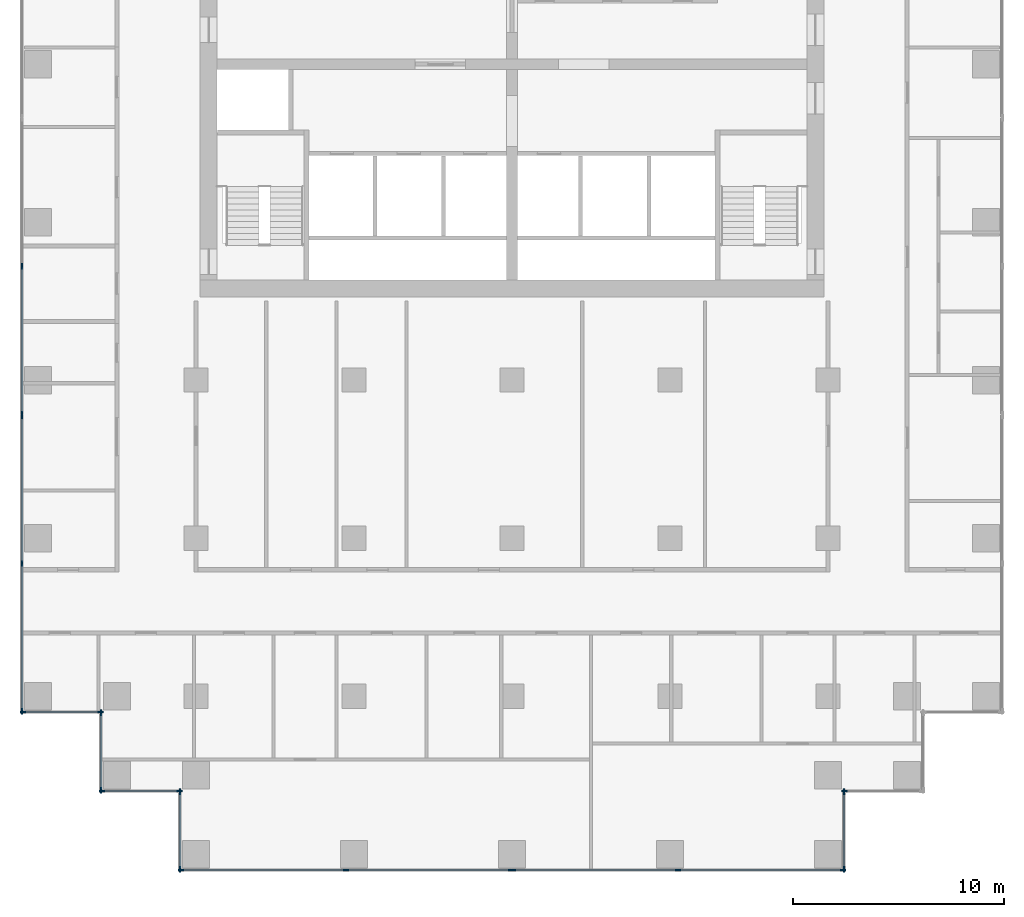
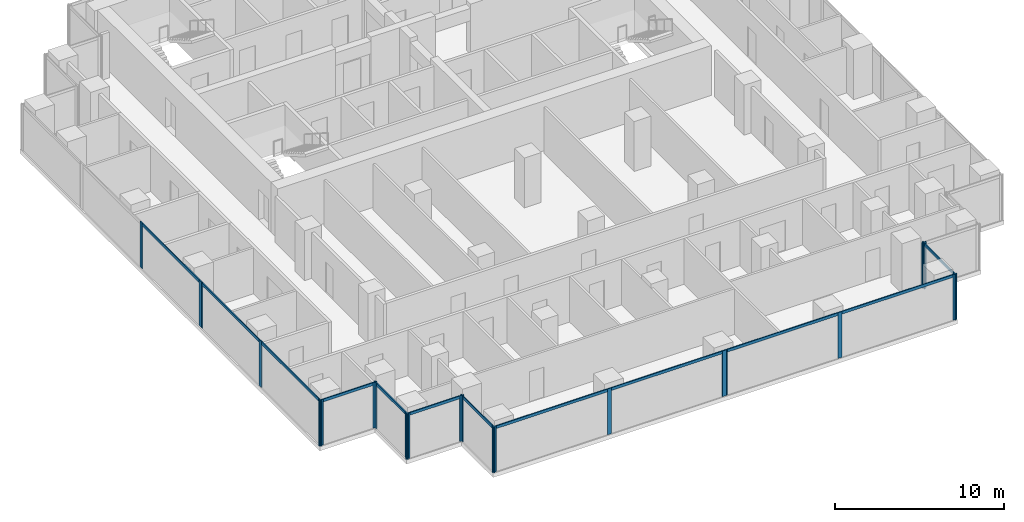
# One storey, part 2 of 11: 34 members, 10 elements without a shape of their own.
"""IFC4 building model written with IfcOpenShell, lengths in metres."""

from ifc_helpers import new_model, si_unit, direction, frame, origin, origin_2d, place, context, subcontext, project, spatial, rectangle, extrude, material, material_profile, profile_set, type_object, element, aggregate, save


model = new_model("IFC4")

# Units and contexts
model_context = context("Model", 3, precision=1e-05, world=origin(), true_north=direction((0.0, 1.0)))
body_context = subcontext(model_context, "Body", "Model", "MODEL_VIEW")
ifc_project = project(units=[si_unit("LENGTHUNIT", "METRE"), si_unit("AREAUNIT", "SQUARE_METRE"), si_unit("VOLUMEUNIT", "CUBIC_METRE"), si_unit("PLANEANGLEUNIT", "RADIAN"), si_unit("MASSUNIT", "GRAM", prefix="KILO")], contexts=[model_context])

# Site, building, storey
site_placement = place(None, origin())
site = spatial("IfcSite", under=ifc_project, at=site_placement, CompositionType="ELEMENT")
building_placement = place(site_placement, origin())
building = spatial("IfcBuilding", under=site, at=building_placement, Name="Pilkhan Gate Tower", CompositionType="ELEMENT")
storey_placement = place(building_placement, frame((0.0, 0.0, 125.199951171875)))
storey = spatial("IfcBuildingStorey", under=building, at=storey_placement, Name="L31", CompositionType="ELEMENT", Elevation=125.199951171875)

# Curtain wall, members
ifc_material_1 = material(Name="Pale anodised aluminium, clear low-iron double glazing", Category="aluminium")
curtain_wall_type = type_object("IfcCurtainWallType", Name="Office unitised curtain wall CW-O1", PredefinedType="USERDEFINED", material=ifc_material_1)
curtain_wall_1_placement = place(storey_placement, origin())
curtain_wall_1 = element("IfcCurtainWall", 1, at=curtain_wall_1_placement, inside=storey, type_object=curtain_wall_type, Name="Office unitised curtain wall CW-O1 L31 W", ObjectType="UNITISED CURTAIN WALL", PredefinedType="USERDEFINED")
ifc_material_2 = material(Name="Pale anodised aluminium", Category="aluminium")
ifc_material_profile_1 = material_profile(ifc_material_2, rectangle(XDim=0.070068359375, YDim=0.27490234375, at=origin_2d()), Name="Mullion 275x70")
ifc_profile_set_1 = profile_set([ifc_material_profile_1], Name="Pale anodised aluminium")
member_type_1 = type_object("IfcMemberType", Name="Mullion CW-O1 275x70", PredefinedType="MULLION", material=ifc_profile_set_1)
member_1_placement = place(storey_placement, frame((51.75, 51.784912109375, 0.0), z_axis=(0.0, 0.0, 1.0), x_axis=(-1.0, 0.0, 0.0)))
member_1 = element("IfcMember", 2, at=member_1_placement, type_object=member_type_1, Name="CW-O1 mullion 1", PredefinedType="MULLION", context=body_context, shape_type="SweptSolid", body=[
    extrude(rectangle(XDim=0.070068359375, YDim=0.27490234375, at=origin_2d()), origin(), (0.0, 0.0, 1.0), 3.300048828125),
])
member_2_placement = place(storey_placement, frame((51.75, 58.800048828125, 0.0), z_axis=(0.0, 0.0, 1.0), x_axis=(-1.0, 0.0, 0.0)))
member_2 = element("IfcMember", 3, at=member_2_placement, type_object=member_type_1, Name="CW-O1 mullion 2", PredefinedType="MULLION", context=body_context, shape_type="SweptSolid", body=[
    extrude(rectangle(XDim=0.070068359375, YDim=0.27490234375, at=origin_2d()), origin(), (0.0, 0.0, 1.0), 3.300048828125),
])
member_3_placement = place(storey_placement, frame((51.75, 65.81494140625, 0.0), z_axis=(0.0, 0.0, 1.0), x_axis=(-1.0, 0.0, 0.0)))
member_3 = element("IfcMember", 4, at=member_3_placement, type_object=member_type_1, Name="CW-O1 mullion 3", PredefinedType="MULLION", context=body_context, shape_type="SweptSolid", body=[
    extrude(rectangle(XDim=0.070068359375, YDim=0.27490234375, at=origin_2d()), origin(), (0.0, 0.0, 1.0), 3.300048828125),
])

curtain_wall_2_placement = place(storey_placement, origin())
curtain_wall_2 = element("IfcCurtainWall", 5, at=curtain_wall_2_placement, inside=storey, type_object=curtain_wall_type, Name="Office unitised curtain wall CW-O1 L31 W", ObjectType="UNITISED CURTAIN WALL", PredefinedType="USERDEFINED")
member_4_placement = place(storey_placement, frame((51.75, 65.885009765625, 0.0), z_axis=(0.0, 0.0, 1.0), x_axis=(-1.0, 0.0, 0.0)))
member_4 = element("IfcMember", 6, at=member_4_placement, type_object=member_type_1, Name="CW-O1 mullion 1", PredefinedType="MULLION", context=body_context, shape_type="SweptSolid", body=[
    extrude(rectangle(XDim=0.070068359375, YDim=0.27490234375, at=origin_2d()), origin(), (0.0, 0.0, 1.0), 3.300048828125),
])
member_5_placement = place(storey_placement, frame((51.75, 72.89990234375, 0.0), z_axis=(0.0, 0.0, 1.0), x_axis=(-1.0, 0.0, 0.0)))
member_5 = element("IfcMember", 7, at=member_5_placement, type_object=member_type_1, Name="CW-O1 mullion 2", PredefinedType="MULLION", context=body_context, shape_type="SweptSolid", body=[
    extrude(rectangle(XDim=0.070068359375, YDim=0.27490234375, at=origin_2d()), origin(), (0.0, 0.0, 1.0), 3.300048828125),
])

curtain_wall_3_placement = place(storey_placement, origin())
curtain_wall_3 = element("IfcCurtainWall", 8, at=curtain_wall_3_placement, inside=storey, type_object=curtain_wall_type, Name="Office unitised curtain wall CW-O1 L31 S", ObjectType="UNITISED CURTAIN WALL", PredefinedType="USERDEFINED")
member_6_placement = place(storey_placement, frame((51.784912109375, 51.75, 0.0), z_axis=(0.0, 0.0, 1.0), x_axis=(0.0, 1.0, 0.0)))
member_6 = element("IfcMember", 9, at=member_6_placement, type_object=member_type_1, Name="CW-O1 mullion 1", PredefinedType="MULLION", context=body_context, shape_type="SweptSolid", body=[
    extrude(rectangle(XDim=0.070068359375, YDim=0.27490234375, at=origin_2d()), origin(), (0.0, 0.0, 1.0), 3.300048828125),
])
member_7_placement = place(storey_placement, frame((55.465087890625, 51.75, 0.0), z_axis=(0.0, 0.0, 1.0), x_axis=(0.0, 1.0, 0.0)))
member_7 = element("IfcMember", 10, at=member_7_placement, type_object=member_type_1, Name="CW-O1 mullion 2", PredefinedType="MULLION", context=body_context, shape_type="SweptSolid", body=[
    extrude(rectangle(XDim=0.070068359375, YDim=0.27490234375, at=origin_2d()), origin(), (0.0, 0.0, 1.0), 3.300048828125),
])

curtain_wall_4_placement = place(storey_placement, origin())
curtain_wall_4 = element("IfcCurtainWall", 11, at=curtain_wall_4_placement, inside=storey, type_object=curtain_wall_type, Name="Office unitised curtain wall CW-O1 L31 W", ObjectType="UNITISED CURTAIN WALL", PredefinedType="USERDEFINED")
member_8_placement = place(storey_placement, frame((55.5, 48.034912109375, 0.0), z_axis=(0.0, 0.0, 1.0), x_axis=(-1.0, 0.0, 0.0)))
member_8 = element("IfcMember", 12, at=member_8_placement, type_object=member_type_1, Name="CW-O1 mullion 1", PredefinedType="MULLION", context=body_context, shape_type="SweptSolid", body=[
    extrude(rectangle(XDim=0.070068359375, YDim=0.27490234375, at=origin_2d()), origin(), (0.0, 0.0, 1.0), 3.300048828125),
])
member_9_placement = place(storey_placement, frame((55.5, 51.715087890625, 0.0), z_axis=(0.0, 0.0, 1.0), x_axis=(-1.0, 0.0, 0.0)))
member_9 = element("IfcMember", 13, at=member_9_placement, type_object=member_type_1, Name="CW-O1 mullion 2", PredefinedType="MULLION", context=body_context, shape_type="SweptSolid", body=[
    extrude(rectangle(XDim=0.070068359375, YDim=0.27490234375, at=origin_2d()), origin(), (0.0, 0.0, 1.0), 3.300048828125),
])

curtain_wall_5_placement = place(storey_placement, origin())
curtain_wall_5 = element("IfcCurtainWall", 14, at=curtain_wall_5_placement, inside=storey, type_object=curtain_wall_type, Name="Office unitised curtain wall CW-O1 L31 S", ObjectType="UNITISED CURTAIN WALL", PredefinedType="USERDEFINED")
member_10_placement = place(storey_placement, frame((55.534912109375, 48.0, 0.0), z_axis=(0.0, 0.0, 1.0), x_axis=(0.0, 1.0, 0.0)))
member_10 = element("IfcMember", 15, at=member_10_placement, type_object=member_type_1, Name="CW-O1 mullion 1", PredefinedType="MULLION", context=body_context, shape_type="SweptSolid", body=[
    extrude(rectangle(XDim=0.070068359375, YDim=0.27490234375, at=origin_2d()), origin(), (0.0, 0.0, 1.0), 3.300048828125),
])
member_11_placement = place(storey_placement, frame((59.215087890625, 48.0, 0.0), z_axis=(0.0, 0.0, 1.0), x_axis=(0.0, 1.0, 0.0)))
member_11 = element("IfcMember", 16, at=member_11_placement, type_object=member_type_1, Name="CW-O1 mullion 2", PredefinedType="MULLION", context=body_context, shape_type="SweptSolid", body=[
    extrude(rectangle(XDim=0.070068359375, YDim=0.27490234375, at=origin_2d()), origin(), (0.0, 0.0, 1.0), 3.300048828125),
])

curtain_wall_6_placement = place(storey_placement, origin())
curtain_wall_6 = element("IfcCurtainWall", 17, at=curtain_wall_6_placement, inside=storey, type_object=curtain_wall_type, Name="Office unitised curtain wall CW-O1 L31 W", ObjectType="UNITISED CURTAIN WALL", PredefinedType="USERDEFINED")
member_12_placement = place(storey_placement, frame((59.25, 44.284912109375, 0.0), z_axis=(0.0, 0.0, 1.0), x_axis=(-1.0, 0.0, 0.0)))
member_12 = element("IfcMember", 18, at=member_12_placement, type_object=member_type_1, Name="CW-O1 mullion 1", PredefinedType="MULLION", context=body_context, shape_type="SweptSolid", body=[
    extrude(rectangle(XDim=0.070068359375, YDim=0.27490234375, at=origin_2d()), origin(), (0.0, 0.0, 1.0), 3.300048828125),
])
member_13_placement = place(storey_placement, frame((59.25, 47.965087890625, 0.0), z_axis=(0.0, 0.0, 1.0), x_axis=(-1.0, 0.0, 0.0)))
member_13 = element("IfcMember", 19, at=member_13_placement, type_object=member_type_1, Name="CW-O1 mullion 2", PredefinedType="MULLION", context=body_context, shape_type="SweptSolid", body=[
    extrude(rectangle(XDim=0.070068359375, YDim=0.27490234375, at=origin_2d()), origin(), (0.0, 0.0, 1.0), 3.300048828125),
])

curtain_wall_7_placement = place(storey_placement, origin())
curtain_wall_7 = element("IfcCurtainWall", 20, at=curtain_wall_7_placement, inside=storey, type_object=curtain_wall_type, Name="Office unitised curtain wall CW-O1 L31 S", ObjectType="UNITISED CURTAIN WALL", PredefinedType="USERDEFINED")
member_14_placement = place(storey_placement, frame((59.284912109375, 44.25, 0.0), z_axis=(0.0, 0.0, 1.0), x_axis=(0.0, 1.0, 0.0)))
member_14 = element("IfcMember", 21, at=member_14_placement, type_object=member_type_1, Name="CW-O1 mullion 1", PredefinedType="MULLION", context=body_context, shape_type="SweptSolid", body=[
    extrude(rectangle(XDim=0.070068359375, YDim=0.27490234375, at=origin_2d()), origin(), (0.0, 0.0, 1.0), 3.300048828125),
])
member_15_placement = place(storey_placement, frame((67.125, 44.25, 0.0), z_axis=(0.0, 0.0, 1.0), x_axis=(0.0, 1.0, 0.0)))
member_15 = element("IfcMember", 22, at=member_15_placement, type_object=member_type_1, Name="CW-O1 mullion 2", PredefinedType="MULLION", context=body_context, shape_type="SweptSolid", body=[
    extrude(rectangle(XDim=0.070068359375, YDim=0.27490234375, at=origin_2d()), origin(), (0.0, 0.0, 1.0), 3.300048828125),
])
member_16_placement = place(storey_placement, frame((74.965087890625, 44.25, 0.0), z_axis=(0.0, 0.0, 1.0), x_axis=(0.0, 1.0, 0.0)))
member_16 = element("IfcMember", 23, at=member_16_placement, type_object=member_type_1, Name="CW-O1 mullion 3", PredefinedType="MULLION", context=body_context, shape_type="SweptSolid", body=[
    extrude(rectangle(XDim=0.070068359375, YDim=0.27490234375, at=origin_2d()), origin(), (0.0, 0.0, 1.0), 3.300048828125),
])

curtain_wall_8_placement = place(storey_placement, origin())
curtain_wall_8 = element("IfcCurtainWall", 24, at=curtain_wall_8_placement, inside=storey, type_object=curtain_wall_type, Name="Office unitised curtain wall CW-O1 L31 S", ObjectType="UNITISED CURTAIN WALL", PredefinedType="USERDEFINED")
member_17_placement = place(storey_placement, frame((75.034912109375, 44.25, 0.0), z_axis=(0.0, 0.0, 1.0), x_axis=(0.0, 1.0, 0.0)))
member_17 = element("IfcMember", 25, at=member_17_placement, type_object=member_type_1, Name="CW-O1 mullion 1", PredefinedType="MULLION", context=body_context, shape_type="SweptSolid", body=[
    extrude(rectangle(XDim=0.070068359375, YDim=0.27490234375, at=origin_2d()), origin(), (0.0, 0.0, 1.0), 3.300048828125),
])
member_18_placement = place(storey_placement, frame((82.875, 44.25, 0.0), z_axis=(0.0, 0.0, 1.0), x_axis=(0.0, 1.0, 0.0)))
member_18 = element("IfcMember", 26, at=member_18_placement, type_object=member_type_1, Name="CW-O1 mullion 2", PredefinedType="MULLION", context=body_context, shape_type="SweptSolid", body=[
    extrude(rectangle(XDim=0.070068359375, YDim=0.27490234375, at=origin_2d()), origin(), (0.0, 0.0, 1.0), 3.300048828125),
])
member_19_placement = place(storey_placement, frame((90.715087890625, 44.25, 0.0), z_axis=(0.0, 0.0, 1.0), x_axis=(0.0, 1.0, 0.0)))
member_19 = element("IfcMember", 27, at=member_19_placement, type_object=member_type_1, Name="CW-O1 mullion 3", PredefinedType="MULLION", context=body_context, shape_type="SweptSolid", body=[
    extrude(rectangle(XDim=0.070068359375, YDim=0.27490234375, at=origin_2d()), origin(), (0.0, 0.0, 1.0), 3.300048828125),
])

curtain_wall_9_placement = place(storey_placement, origin())
curtain_wall_9 = element("IfcCurtainWall", 28, at=curtain_wall_9_placement, inside=storey, type_object=curtain_wall_type, Name="Office unitised curtain wall CW-O1 L31 E", ObjectType="UNITISED CURTAIN WALL", PredefinedType="USERDEFINED")
member_20_placement = place(storey_placement, frame((90.75, 44.284912109375, 0.0), z_axis=(0.0, 0.0, 1.0), x_axis=(-1.0, 0.0, 0.0)))
member_20 = element("IfcMember", 29, at=member_20_placement, type_object=member_type_1, Name="CW-O1 mullion 1", PredefinedType="MULLION", context=body_context, shape_type="SweptSolid", body=[
    extrude(rectangle(XDim=0.070068359375, YDim=0.27490234375, at=origin_2d()), origin(), (0.0, 0.0, 1.0), 3.300048828125),
])
member_21_placement = place(storey_placement, frame((90.75, 47.965087890625, 0.0), z_axis=(0.0, 0.0, 1.0), x_axis=(-1.0, 0.0, 0.0)))
member_21 = element("IfcMember", 30, at=member_21_placement, type_object=member_type_1, Name="CW-O1 mullion 2", PredefinedType="MULLION", context=body_context, shape_type="SweptSolid", body=[
    extrude(rectangle(XDim=0.070068359375, YDim=0.27490234375, at=origin_2d()), origin(), (0.0, 0.0, 1.0), 3.300048828125),
])

# Curtain wall, member
curtain_wall_10_placement = place(storey_placement, origin())
curtain_wall_10 = element("IfcCurtainWall", 31, at=curtain_wall_10_placement, inside=storey, type_object=curtain_wall_type, Name="Office unitised curtain wall CW-O1 L31 S", ObjectType="UNITISED CURTAIN WALL", PredefinedType="USERDEFINED")
member_22_placement = place(storey_placement, frame((90.784912109375, 48.0, 0.0), z_axis=(0.0, 0.0, 1.0), x_axis=(0.0, 1.0, 0.0)))
member_22 = element("IfcMember", 32, at=member_22_placement, type_object=member_type_1, Name="CW-O1 mullion 1", PredefinedType="MULLION", context=body_context, shape_type="SweptSolid", body=[
    extrude(rectangle(XDim=0.070068359375, YDim=0.27490234375, at=origin_2d()), origin(), (0.0, 0.0, 1.0), 3.300048828125),
])
aggregate(curtain_wall_10, [member_22])

# Member
ifc_material_profile_2 = material_profile(ifc_material_2, rectangle(XDim=0.070068359375, YDim=0.199951171875, at=origin_2d()), Name="Transom 200x70")
ifc_profile_set_2 = profile_set([ifc_material_profile_2], Name="Pale anodised aluminium")
member_type_2 = type_object("IfcMemberType", Name="Transom CW-O1 200x70", PredefinedType="USERDEFINED", material=ifc_profile_set_2)
member_23_placement = place(storey_placement, frame((51.75, 51.820068359375, 3.199951171875), z_axis=(0.0, 1.0, 0.0), x_axis=(-1.0, 0.0, 0.0)))
member_23 = element("IfcMember", 33, at=member_23_placement, type_object=member_type_2, Name="CW-O1 transom 1", ObjectType="TRANSOM", PredefinedType="USERDEFINED", context=body_context, shape_type="SweptSolid", body=[
    extrude(rectangle(XDim=0.070068359375, YDim=0.199951171875, at=origin_2d()), origin(), (0.0, 0.0, 1.0), 6.94482421875),
])

member_24_placement = place(storey_placement, frame((51.75, 58.8349609375, 3.199951171875), z_axis=(0.0, 1.0, 0.0), x_axis=(-1.0, 0.0, 0.0)))
member_24 = element("IfcMember", 34, at=member_24_placement, type_object=member_type_2, Name="CW-O1 transom 2", ObjectType="TRANSOM", PredefinedType="USERDEFINED", context=body_context, shape_type="SweptSolid", body=[
    extrude(rectangle(XDim=0.070068359375, YDim=0.199951171875, at=origin_2d()), origin(), (0.0, 0.0, 1.0), 6.945068359375),
])

aggregate(curtain_wall_1, [member_1, member_2, member_3, member_23, member_24])

member_25_placement = place(storey_placement, frame((51.75, 65.919921875, 3.199951171875), z_axis=(0.0, 1.0, 0.0), x_axis=(-1.0, 0.0, 0.0)))
member_25 = element("IfcMember", 35, at=member_25_placement, type_object=member_type_2, Name="CW-O1 transom 1", ObjectType="TRANSOM", PredefinedType="USERDEFINED", context=body_context, shape_type="SweptSolid", body=[
    extrude(rectangle(XDim=0.070068359375, YDim=0.199951171875, at=origin_2d()), origin(), (0.0, 0.0, 1.0), 6.945068359375),
])

aggregate(curtain_wall_2, [member_4, member_5, member_25])

member_26_placement = place(storey_placement, frame((51.820068359375, 51.75, 3.199951171875), z_axis=(1.0, 0.0, 0.0), x_axis=(0.0, 1.0, 0.0)))
member_26 = element("IfcMember", 36, at=member_26_placement, type_object=member_type_2, Name="CW-O1 transom 1", ObjectType="TRANSOM", PredefinedType="USERDEFINED", context=body_context, shape_type="SweptSolid", body=[
    extrude(rectangle(XDim=0.070068359375, YDim=0.199951171875, at=origin_2d()), origin(), (0.0, 0.0, 1.0), 3.60986328125),
])

aggregate(curtain_wall_3, [member_6, member_7, member_26])

member_27_placement = place(storey_placement, frame((55.5, 48.070068359375, 3.199951171875), z_axis=(0.0, 1.0, 0.0), x_axis=(-1.0, 0.0, 0.0)))
member_27 = element("IfcMember", 37, at=member_27_placement, type_object=member_type_2, Name="CW-O1 transom 1", ObjectType="TRANSOM", PredefinedType="USERDEFINED", context=body_context, shape_type="SweptSolid", body=[
    extrude(rectangle(XDim=0.070068359375, YDim=0.199951171875, at=origin_2d()), origin(), (0.0, 0.0, 1.0), 3.60986328125),
])

aggregate(curtain_wall_4, [member_8, member_9, member_27])

member_28_placement = place(storey_placement, frame((55.570068359375, 48.0, 3.199951171875), z_axis=(1.0, 0.0, 0.0), x_axis=(0.0, 1.0, 0.0)))
member_28 = element("IfcMember", 38, at=member_28_placement, type_object=member_type_2, Name="CW-O1 transom 1", ObjectType="TRANSOM", PredefinedType="USERDEFINED", context=body_context, shape_type="SweptSolid", body=[
    extrude(rectangle(XDim=0.070068359375, YDim=0.199951171875, at=origin_2d()), origin(), (0.0, 0.0, 1.0), 3.60986328125),
])

aggregate(curtain_wall_5, [member_10, member_11, member_28])

member_29_placement = place(storey_placement, frame((59.25, 44.320068359375, 3.199951171875), z_axis=(0.0, 1.0, 0.0), x_axis=(-1.0, 0.0, 0.0)))
member_29 = element("IfcMember", 39, at=member_29_placement, type_object=member_type_2, Name="CW-O1 transom 1", ObjectType="TRANSOM", PredefinedType="USERDEFINED", context=body_context, shape_type="SweptSolid", body=[
    extrude(rectangle(XDim=0.070068359375, YDim=0.199951171875, at=origin_2d()), origin(), (0.0, 0.0, 1.0), 3.60986328125),
])

aggregate(curtain_wall_6, [member_12, member_13, member_29])

member_30_placement = place(storey_placement, frame((59.320068359375, 44.25, 3.199951171875), z_axis=(1.0, 0.0, 0.0), x_axis=(0.0, 1.0, 0.0)))
member_30 = element("IfcMember", 40, at=member_30_placement, type_object=member_type_2, Name="CW-O1 transom 1", ObjectType="TRANSOM", PredefinedType="USERDEFINED", context=body_context, shape_type="SweptSolid", body=[
    extrude(rectangle(XDim=0.070068359375, YDim=0.199951171875, at=origin_2d()), origin(), (0.0, 0.0, 1.0), 7.77001953125),
])

member_31_placement = place(storey_placement, frame((67.159912109375, 44.25, 3.199951171875), z_axis=(1.0, 0.0, 0.0), x_axis=(0.0, 1.0, 0.0)))
member_31 = element("IfcMember", 41, at=member_31_placement, type_object=member_type_2, Name="CW-O1 transom 2", ObjectType="TRANSOM", PredefinedType="USERDEFINED", context=body_context, shape_type="SweptSolid", body=[
    extrude(rectangle(XDim=0.070068359375, YDim=0.199951171875, at=origin_2d()), origin(), (0.0, 0.0, 1.0), 7.77001953125),
])

aggregate(curtain_wall_7, [member_14, member_15, member_16, member_30, member_31])

member_32_placement = place(storey_placement, frame((75.070068359375, 44.25, 3.199951171875), z_axis=(1.0, 0.0, 0.0), x_axis=(0.0, 1.0, 0.0)))
member_32 = element("IfcMember", 42, at=member_32_placement, type_object=member_type_2, Name="CW-O1 transom 1", ObjectType="TRANSOM", PredefinedType="USERDEFINED", context=body_context, shape_type="SweptSolid", body=[
    extrude(rectangle(XDim=0.070068359375, YDim=0.199951171875, at=origin_2d()), origin(), (0.0, 0.0, 1.0), 7.77001953125),
])

member_33_placement = place(storey_placement, frame((82.909912109375, 44.25, 3.199951171875), z_axis=(1.0, 0.0, 0.0), x_axis=(0.0, 1.0, 0.0)))
member_33 = element("IfcMember", 43, at=member_33_placement, type_object=member_type_2, Name="CW-O1 transom 2", ObjectType="TRANSOM", PredefinedType="USERDEFINED", context=body_context, shape_type="SweptSolid", body=[
    extrude(rectangle(XDim=0.070068359375, YDim=0.199951171875, at=origin_2d()), origin(), (0.0, 0.0, 1.0), 7.77001953125),
])

aggregate(curtain_wall_8, [member_17, member_18, member_19, member_32, member_33])

member_34_placement = place(storey_placement, frame((90.75, 44.320068359375, 3.199951171875), z_axis=(0.0, 1.0, 0.0), x_axis=(-1.0, 0.0, 0.0)))
member_34 = element("IfcMember", 44, at=member_34_placement, type_object=member_type_2, Name="CW-O1 transom 1", ObjectType="TRANSOM", PredefinedType="USERDEFINED", context=body_context, shape_type="SweptSolid", body=[
    extrude(rectangle(XDim=0.070068359375, YDim=0.199951171875, at=origin_2d()), origin(), (0.0, 0.0, 1.0), 3.60986328125),
])

aggregate(curtain_wall_9, [member_20, member_21, member_34])

save(model, "model.ifc")
